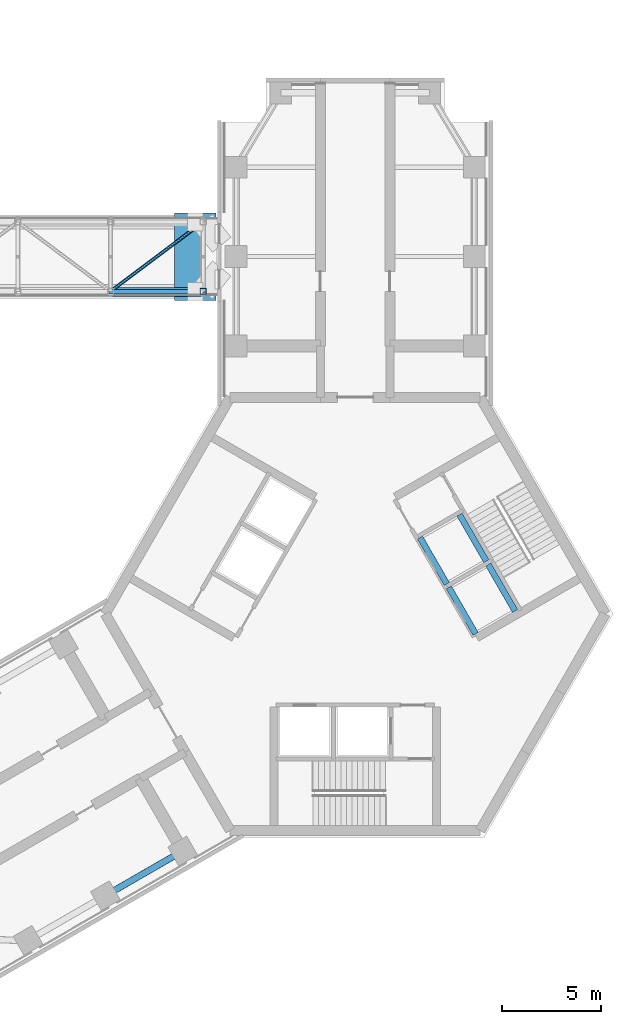
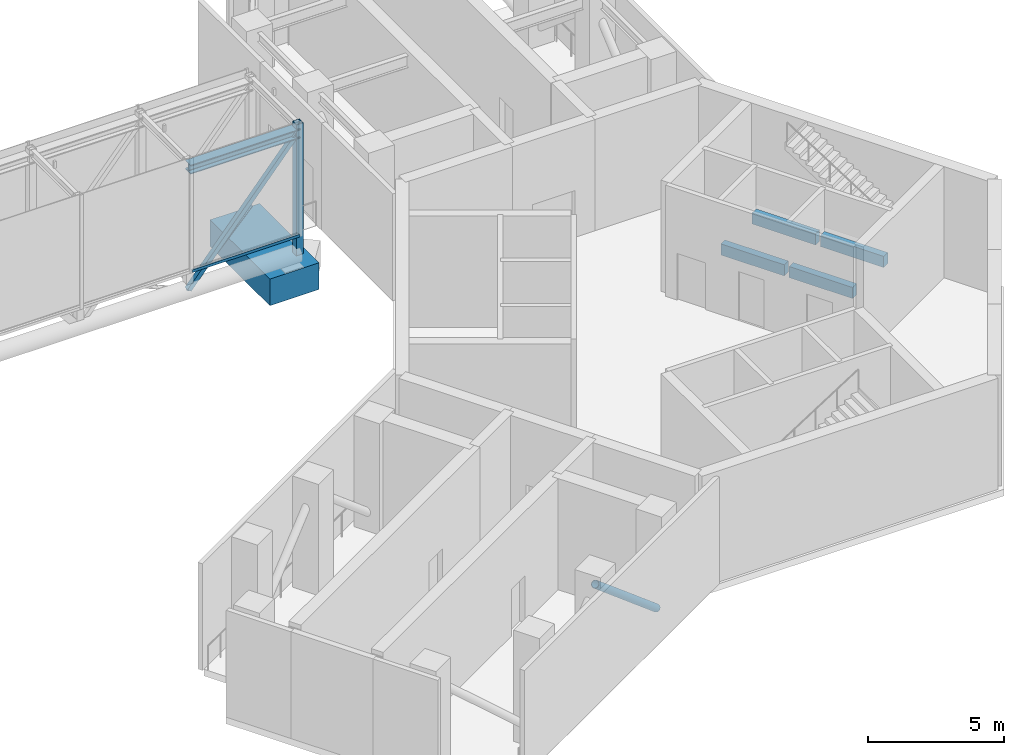
# One storey, part 4 of 15: 6 members, 5 beams, 1 element without a shape of its own.
"""IFC4 building model written with IfcOpenShell, lengths in metres."""

from ifc_helpers import new_model, si_unit, direction, frame, origin, origin_2d, place, context, subcontext, project, spatial, rectangle, hollow_rectangle, hollow_circle, i_section, extrude, material, material_profile, profile_set, type_object, element, aggregate, save


model = new_model("IFC4")

# Units and contexts
model_context = context("Model", 3, precision=1e-05, world=origin(), true_north=direction((0.0, 1.0)))
body_context = subcontext(model_context, "Body", "Model", "MODEL_VIEW")
ifc_project = project(units=[si_unit("LENGTHUNIT", "METRE"), si_unit("AREAUNIT", "SQUARE_METRE"), si_unit("VOLUMEUNIT", "CUBIC_METRE"), si_unit("PLANEANGLEUNIT", "RADIAN"), si_unit("MASSUNIT", "GRAM", prefix="KILO")], contexts=[model_context])

# Site, building, storey
site_placement = place(None, origin())
site = spatial("IfcSite", under=ifc_project, at=site_placement, CompositionType="ELEMENT")
building_placement = place(site_placement, origin())
building = spatial("IfcBuilding", under=site, at=building_placement, Name="Upepo Twin Towers", CompositionType="ELEMENT")
storey_placement = place(building_placement, frame((0.0, 0.0, 238.5)))
storey = spatial("IfcBuildingStorey", under=building, at=storey_placement, Name="L58", CompositionType="ELEMENT", Elevation=238.5)

# Member
ifc_material_1 = material(Name="Steel S355", Category="steel")
ifc_material_profile_1 = material_profile(ifc_material_1, hollow_circle(Radius=0.161865234375, WallThickness=0.01611328125, at=origin_2d()), Name="CHS 323.9x16.0")
ifc_profile_set_1 = profile_set([ifc_material_profile_1], Name="Steel S355")
member_type_1 = type_object("IfcMemberType", Name="Belt truss diagonal CHS 323.9x16.0", PredefinedType="BRACE", material=ifc_profile_set_1)
member_1_placement = place(storey_placement, frame((49.80859375, -29.946044921875, 0.39990234375), z_axis=(-0.66165225517, -0.382018994089, 0.645195924804), x_axis=(0.500013631625, -0.866017533419, 0.0)))
element("IfcMember", 1, at=member_1_placement, inside=storey, type_object=member_type_1, Name="T2 belt truss diagonal BL1", PredefinedType="BRACE", context=body_context, shape_type="SweptSolid", body=[
    extrude(hollow_circle(Radius=0.161865234375, WallThickness=0.01611328125, at=origin_2d()), origin(), (0.0, 0.0, 1.0), 5.8896484375),
])

# Beam
ifc_material_2 = material(Name="Concrete C60/75", Category="concrete")
ifc_material_profile_2 = material_profile(ifc_material_2, rectangle(XDim=2.10009765625, YDim=1.199951171875, at=origin_2d()), Name="RC 2100x1200")
ifc_profile_set_2 = profile_set([ifc_material_profile_2], Name="Concrete C60/75")
beam_type_1 = type_object("IfcBeamType", Name="Bridge bearing seat beam RC 2100x1200", PredefinedType="BEAM", material=ifc_profile_set_2)
beam_1_placement = place(storey_placement, frame((50.43994140625, -2.199951171875, -2.089111328125), z_axis=(0.0, 1.0, 0.0), x_axis=(-1.0, 0.0, 0.0)))
element("IfcBeam", 2, at=beam_1_placement, inside=storey, type_object=beam_type_1, Name="BR3 bearing beam at T2", PredefinedType="BEAM", context=body_context, shape_type="SweptSolid", body=[
    extrude(rectangle(XDim=2.10009765625, YDim=1.199951171875, at=origin_2d()), origin(), (0.0, 0.0, 1.0), 4.39990234375),
])

# Members
ifc_material_3 = material(Name="Steel S355", Category="steel")
ifc_material_profile_3 = material_profile(ifc_material_3, i_section(OverallWidth=0.403076171875, OverallDepth=0.406494140625, WebThickness=0.026611328125, FlangeThickness=0.04296875, FilletRadius=0.01513671875, at=origin_2d()), Name="UC 356x406x340")
ifc_profile_set_3 = profile_set([ifc_material_profile_3], Name="Steel S355")
member_type_2 = type_object("IfcMemberType", Name="Bridge chord UC 356x406x340", PredefinedType="CHORD", material=ifc_profile_set_3)
member_2_placement = place(storey_placement, frame((46.172119140625, -1.75, 4.39990234375), z_axis=(1.0, 0.0, 0.0), x_axis=(0.0, 1.0, 0.0)))
element("IfcMember", 3, at=member_2_placement, inside=storey, type_object=member_type_2, Name="BR3 top chord S5", PredefinedType="CHORD", context=body_context, shape_type="SweptSolid", body=[
    extrude(i_section(OverallWidth=0.403076171875, OverallDepth=0.406494140625, WebThickness=0.026611328125, FlangeThickness=0.04296875, FilletRadius=0.01513671875, at=origin_2d()), origin(), (0.0, 0.0, 1.0), 4.66796875),
])
ifc_material_4 = material(Name="Steel S355", Category="steel")
ifc_material_profile_4 = material_profile(ifc_material_4, hollow_rectangle(XDim=0.199951171875, YDim=0.199951171875, WallThickness=0.010009765625, at=origin_2d()), Name="SHS 200x200x10.0")
ifc_profile_set_4 = profile_set([ifc_material_profile_4], Name="Steel S355")
member_type_3 = type_object("IfcMemberType", Name="Bridge diagonal SHS 200x200x10.0", PredefinedType="BRACE", material=ifc_profile_set_4)
member_3_placement = place(storey_placement, frame((46.172119140625, -1.75, -1.088623046875), z_axis=(0.647867731372, 0.0, 0.761752848795), x_axis=(0.0, 1.0, 0.0)))
element("IfcMember", 4, at=member_3_placement, inside=storey, type_object=member_type_3, Name="BR3 diagonal S5", PredefinedType="BRACE", context=body_context, shape_type="SweptSolid", body=[
    extrude(hollow_rectangle(XDim=0.199951171875, YDim=0.199951171875, WallThickness=0.010009765625, at=origin_2d()), origin(), (0.0, 0.0, 1.0), 7.205078125),
])
ifc_material_5 = material(Name="Steel S355", Category="steel")
ifc_material_profile_5 = material_profile(ifc_material_5, hollow_circle(Radius=0.084228515625, WallThickness=0.008056640625, at=origin_2d()), Name="CHS 168.3x8.0")
ifc_profile_set_5 = profile_set([ifc_material_profile_5], Name="Steel S355")
member_type_4 = type_object("IfcMemberType", Name="Bridge plan brace CHS 168.3x8.0", PredefinedType="BRACE", material=ifc_profile_set_5)
member_4_placement = place(storey_placement, frame((46.172119140625, -1.75, -1.088623046875), z_axis=(0.800080335623, 0.599892870894, 0.0), x_axis=(-0.599892870894, 0.800080335623, 0.0)))
element("IfcMember", 5, at=member_4_placement, inside=storey, type_object=member_type_4, Name="BR3 plan brace 5", PredefinedType="BRACE", context=body_context, shape_type="SweptSolid", body=[
    extrude(hollow_circle(Radius=0.084228515625, WallThickness=0.008056640625, at=origin_2d()), origin(), (0.0, 0.0, 1.0), 5.83447265625),
])
ifc_material_6 = material(Name="Steel S355", Category="steel")
ifc_material_profile_6 = material_profile(ifc_material_6, hollow_rectangle(XDim=0.300048828125, YDim=0.300048828125, WallThickness=0.012451171875, at=origin_2d()), Name="SHS 300x300x12.5")
ifc_profile_set_6 = profile_set([ifc_material_profile_6], Name="Steel S355")
member_type_5 = type_object("IfcMemberType", Name="Bridge post SHS 300x300x12.5", PredefinedType="POST", material=ifc_profile_set_6)
member_5_placement = place(storey_placement, frame((50.840087890625, -1.75, -1.088623046875), z_axis=(0.0, 0.0, 1.0), x_axis=(1.0, 0.0, 0.0)))
element("IfcMember", 6, at=member_5_placement, inside=storey, type_object=member_type_5, Name="BR3 end post S5", PredefinedType="POST", context=body_context, shape_type="SweptSolid", body=[
    extrude(hollow_rectangle(XDim=0.300048828125, YDim=0.300048828125, WallThickness=0.012451171875, at=origin_2d()), origin(), (0.0, 0.0, 1.0), 5.888671875),
])

# Beams
ifc_material_7 = material(Name="Concrete C40/50", Category="concrete")
ifc_material_profile_7 = material_profile(ifc_material_7, rectangle(XDim=0.300048828125, YDim=0.5, at=origin_2d()), Name="RC 300x500")
ifc_profile_set_7 = profile_set([ifc_material_profile_7], Name="Concrete C40/50")
beam_type_2 = type_object("IfcBeamType", Name="Lift pit beam RC 300x500", PredefinedType="BEAM", material=ifc_profile_set_7)
for number, where, z_axis, x_axis, name in (
    (7, (64.563720703125, -19.00244140625, 2.85009765625), (-0.500048589285, 0.86599734893, 0.0), (-0.86599734893, -0.500048589285, 0.0), "T2 lift TL1 pit beam 1"),
    (8, (66.555419921875, -17.8525390625, 2.85009765625), (-0.4999416173, 0.866059108428, 0.0), (-0.866059108428, -0.4999416173, 0.0), "T2 lift TL1 pit beam 2"),
):
    element("IfcBeam", number, at=place(storey_placement, frame(where, z_axis=z_axis, x_axis=x_axis)), inside=storey, type_object=beam_type_2, Name=name, PredefinedType="BEAM", context=body_context, shape_type="SweptSolid", body=[
        extrude(rectangle(XDim=0.300048828125, YDim=0.5, at=origin_2d()), origin(), (0.0, 0.0, 1.0), 2.699951171875),
    ])
beam_2_placement = place(storey_placement, frame((63.113525390625, -16.490966796875, 2.85009765625), z_axis=(-0.499980770555, 0.866036505625, 0.0), x_axis=(-0.866036505625, -0.499980770555, 0.0)))
element("IfcBeam", 9, at=beam_2_placement, inside=storey, type_object=beam_type_2, Name="T2 lift TL2 pit beam 1", PredefinedType="BEAM", context=body_context, shape_type="SweptSolid", body=[
    extrude(rectangle(XDim=0.300048828125, YDim=0.5, at=origin_2d()), origin(), (0.0, 0.0, 1.0), 2.69970703125),
])
beam_3_placement = place(storey_placement, frame((65.10546875, -15.341064453125, 2.85009765625), z_axis=(-0.50000943426, 0.866019956843, 0.0), x_axis=(-0.866019956843, -0.50000943426, 0.0)))
element("IfcBeam", 10, at=beam_3_placement, inside=storey, type_object=beam_type_2, Name="T2 lift TL2 pit beam 2", PredefinedType="BEAM", context=body_context, shape_type="SweptSolid", body=[
    extrude(rectangle(XDim=0.300048828125, YDim=0.5, at=origin_2d()), origin(), (0.0, 0.0, 1.0), 2.7001953125),
])

# Curtain wall, member
ifc_material_8 = material(Name="Aluminium and clear glass", Category="aluminium")
curtain_wall_type = type_object("IfcCurtainWallType", Name="Bridge curtain wall BW1", PredefinedType="NOTDEFINED", material=ifc_material_8)
curtain_wall_placement = place(storey_placement, origin())
curtain_wall = element("IfcCurtainWall", 11, at=curtain_wall_placement, inside=storey, type_object=curtain_wall_type, Name="BR3 curtain wall S", PredefinedType="NOTDEFINED")
ifc_material_9 = material(Name="Aluminium transom", Category="aluminium")
ifc_material_profile_8 = material_profile(ifc_material_9, rectangle(XDim=0.06494140625, YDim=0.1201171875, at=origin_2d()), Name="TRANSOM 65x120 BRIDGE")
ifc_profile_set_8 = profile_set([ifc_material_profile_8], Name="Aluminium transom")
member_type_6 = type_object("IfcMemberType", Name="Transom 65x120 BW1", PredefinedType="USERDEFINED", material=ifc_profile_set_8)
member_6_placement = place(storey_placement, frame((46.20458984375, -1.97509765625, -0.139892578125), z_axis=(1.0, 0.0, 0.0), x_axis=(0.0, 1.0, 0.0)))
member_6 = element("IfcMember", 12, at=member_6_placement, type_object=member_type_6, Name="BR3 curtain wall S transom 5", ObjectType="TRANSOM", PredefinedType="USERDEFINED", context=body_context, shape_type="SweptSolid", body=[
    extrude(rectangle(XDim=0.06494140625, YDim=0.1201171875, at=origin_2d()), origin(), (0.0, 0.0, 1.0), 4.5703125),
])
aggregate(curtain_wall, [member_6])

save(model, "model.ifc")
